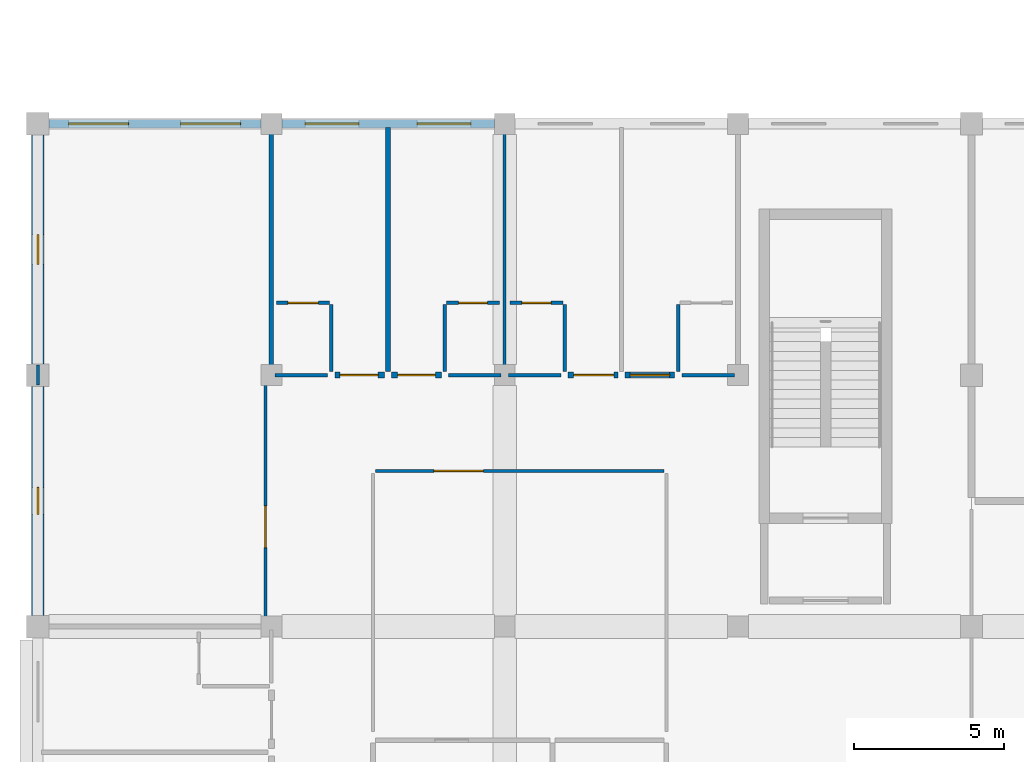
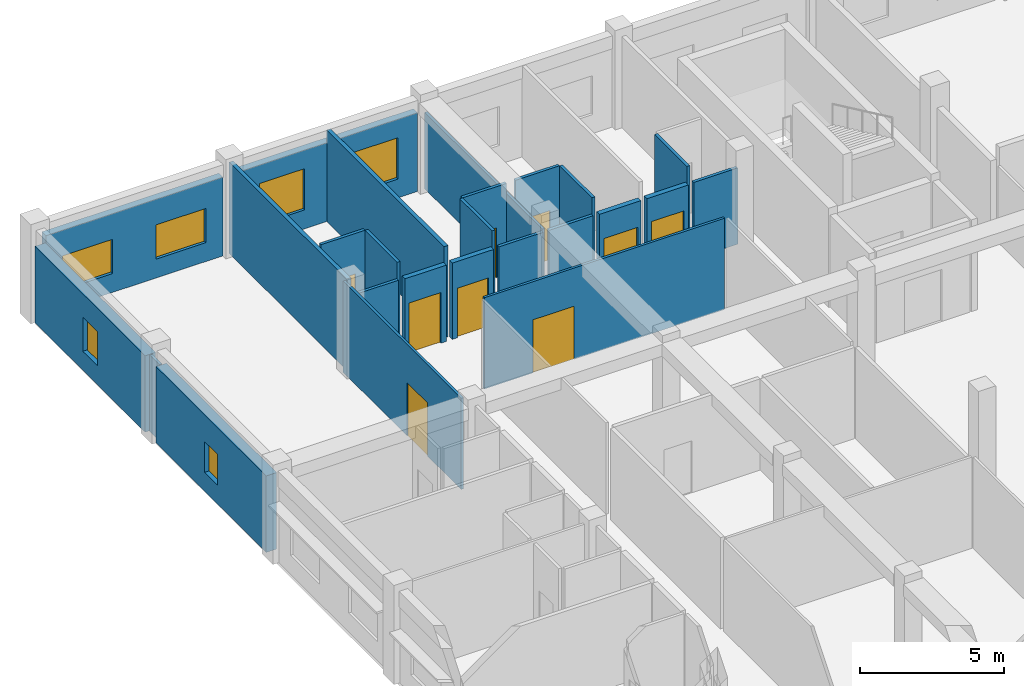
# One storey, part 38 of 53: 25 walls, 9 doors, 6 windows, 15 openings.
"""IFC4 building model written with IfcOpenShell, lengths in metres."""

from ifc_helpers import new_model, si_unit, direction, frame, frame_2d, origin, place, context, subcontext, project, spatial, rectangle, extrude, material, layer, layer_set, type_object, element, fill, save


model = new_model("IFC4")

# Units and contexts
model_context = context("Model", 3, precision=1e-05, world=origin(), true_north=direction((0.0, 1.0)))
body_context = subcontext(model_context, "Body", "Model", "MODEL_VIEW")
ifc_project = project(units=[si_unit("LENGTHUNIT", "METRE"), si_unit("AREAUNIT", "SQUARE_METRE"), si_unit("VOLUMEUNIT", "CUBIC_METRE"), si_unit("PLANEANGLEUNIT", "RADIAN"), si_unit("MASSUNIT", "GRAM", prefix="KILO"), si_unit("THERMODYNAMICTEMPERATUREUNIT", "KELVIN"), si_unit("POWERUNIT", "WATT")], contexts=[model_context])

# Site, building, storey
site_placement = place(None, origin())
site = spatial("IfcSite", under=ifc_project, at=site_placement, CompositionType="ELEMENT")
building_placement = place(site_placement, origin())
building = spatial("IfcBuilding", under=site, at=building_placement, Name="Srebrne Nadtorze General Hospital", CompositionType="ELEMENT")
storey_placement = place(building_placement, frame((0.0, 0.0, 18.0)))
storey = spatial("IfcBuildingStorey", under=building, at=storey_placement, Name="L04", CompositionType="ELEMENT", Elevation=18.0)

# Wall, opening, window
ifc_material_1 = material(Name="Concrete C40/50", Category="concrete")
ifc_layer_1 = layer(ifc_material_1, 0.419921875)
ifc_layer_set_1 = layer_set([ifc_layer_1], Name="Concrete C40/50")
wall_type_1 = type_object("IfcWallType", Name="Acoustic buffer wall 420", PredefinedType="SOLIDWALL", material=ifc_layer_set_1)
wall_1_placement = place(storey_placement, frame((23.39990234375, 75.97509765625, 0.0), z_axis=(0.0, 0.0, 1.0), x_axis=(0.0, 1.0, 0.0)))
wall_1 = element("IfcWall", 1, at=wall_1_placement, inside=storey, type_object=wall_type_1, Name="Exterior wall WL-ENV-L04-0384", PredefinedType="SOLIDWALL", context=body_context, shape_type="SweptSolid", body=[
    extrude(rectangle(XDim=7.64990234375, YDim=0.419921875, at=frame_2d((3.824951171875, 0.0))), origin(), (0.0, 0.0, 1.0), 3.235107421875),
])
opening_1_placement = place(wall_1_placement, frame((3.375, 0.0, 0.800048828125)))
opening_1 = element("IfcOpeningElement", 2, at=opening_1_placement, cuts=wall_1, Name="Opening WN-L04-0589", PredefinedType="OPENING", context=body_context, shape_type="SweptSolid", body=[
    extrude(rectangle(XDim=0.89990234375, YDim=1.300048828125, at=frame_2d((0.449951171875, 0.64990234375))), frame((0.0, 0.221923828125, 0.0), z_axis=(0.0, -1.0, 0.0), x_axis=(1.0, 0.0, 0.0)), (0.0, 0.0, 1.0), 0.44384765625),
])
ifc_material_2 = material(Name="Triple Low-E Glazing", Category="glass")
window_type_1 = type_object("IfcWindowType", Name="Punched clinical window 900x1300", PartitioningType="SINGLE_PANEL", PredefinedType="WINDOW", material=ifc_material_2)
window_1_placement = place(opening_1_placement, origin())
window_1 = element("IfcWindow", 3, at=window_1_placement, inside=storey, type_object=window_type_1, Name="Clinical window WN-L04-0589", OverallHeight=1.300048828125, OverallWidth=0.89990234375, PartitioningType="SINGLE_PANEL", PredefinedType="WINDOW", context=body_context, shape_type="SweptSolid", body=[
    extrude(rectangle(XDim=0.89990234375, YDim=1.300048828125, at=frame_2d((0.449951171875, 0.64990234375))), frame((0.0, 0.030029296875, 0.0), z_axis=(0.0, -1.0, 0.0), x_axis=(1.0, 0.0, 0.0)), (0.0, 0.0, 1.0), 0.06005859375),
])
fill(opening_1, window_1)

wall_2_placement = place(storey_placement, frame((23.39990234375, 84.375, 0.0), z_axis=(0.0, 0.0, 1.0), x_axis=(0.0, 1.0, 0.0)))
wall_2 = element("IfcWall", 4, at=wall_2_placement, inside=storey, type_object=wall_type_1, Name="Exterior wall WL-ENV-L04-0385", PredefinedType="SOLIDWALL", context=body_context, shape_type="SweptSolid", body=[
    extrude(rectangle(XDim=7.64990234375, YDim=0.419921875, at=frame_2d((3.824951171875, 0.0))), origin(), (0.0, 0.0, 1.0), 3.235107421875),
])
opening_2_placement = place(wall_2_placement, frame((3.324951171875, 0.0, 0.800048828125)))
opening_2 = element("IfcOpeningElement", 5, at=opening_2_placement, cuts=wall_2, Name="Opening WN-L04-0590", PredefinedType="OPENING", context=body_context, shape_type="SweptSolid", body=[
    extrude(rectangle(XDim=1.0, YDim=1.449951171875, at=frame_2d((0.5, 0.72509765625))), frame((0.0, 0.221923828125, 0.0), z_axis=(0.0, -1.0, 0.0), x_axis=(1.0, 0.0, 0.0)), (0.0, 0.0, 1.0), 0.44384765625),
])
ifc_material_3 = material(Name="Triple Low-E Glazing", Category="glass")
window_type_2 = type_object("IfcWindowType", Name="Punched clinical window 1000x1450", PartitioningType="SINGLE_PANEL", PredefinedType="WINDOW", material=ifc_material_3)
window_2_placement = place(opening_2_placement, origin())
window_2 = element("IfcWindow", 6, at=window_2_placement, inside=storey, type_object=window_type_2, Name="Clinical window WN-L04-0590", OverallHeight=1.449951171875, OverallWidth=1.0, PartitioningType="SINGLE_PANEL", PredefinedType="WINDOW", context=body_context, shape_type="SweptSolid", body=[
    extrude(rectangle(XDim=1.0, YDim=1.449951171875, at=frame_2d((0.5, 0.72509765625))), frame((0.0, 0.030029296875, 0.0), z_axis=(0.0, -1.0, 0.0), x_axis=(1.0, 0.0, 0.0)), (0.0, 0.0, 1.0), 0.06005859375),
])
fill(opening_2, window_2)

# Walls
ifc_material_4 = material(Name="Gypsum Healthcare Partition")
ifc_layer_2 = layer(ifc_material_4, 0.159912109375)
ifc_layer_set_2 = layer_set([ifc_layer_2], Name="Gypsum Healthcare Partition")
wall_type_2 = type_object("IfcWallType", Name="Clinical partition 160", PredefinedType="PARTITIONING", material=ifc_layer_set_2)
for number, where, z_axis, x_axis, name in (
    (7, (31.199951171875, 84.1201171875, 0.0), (0.0, 0.0, 1.0), (0.0, 1.0, 0.0), "Ward inter-room partition WL-INT-L04-1673"),
    (8, (35.10009765625, 84.1201171875, 0.0), (0.0, 0.0, 1.0), (0.0, 1.0, 0.0), "Ward inter-room partition WL-INT-L04-1674"),
):
    element("IfcWall", number, at=place(storey_placement, frame(where, z_axis=z_axis, x_axis=x_axis)), inside=storey, type_object=wall_type_2, Name=name, PredefinedType="PARTITIONING", context=body_context, shape_type="SweptSolid", body=[
        extrude(rectangle(XDim=8.159912109375, YDim=0.159912109375, at=frame_2d((4.080078125, 0.0))), origin(), (0.0, 0.0, 1.0), 3.864990234375),
    ])

# Wall, opening, door
ifc_material_5 = material(Name="Gypsum Healthcare Partition")
ifc_layer_3 = layer(ifc_material_5, 0.199951171875)
ifc_layer_set_3 = layer_set([ifc_layer_3], Name="Gypsum Healthcare Partition")
wall_type_3 = type_object("IfcWallType", Name="Compartment wall 200", PredefinedType="STANDARD", material=ifc_layer_set_3)
wall_3_placement = place(storey_placement, frame((33.320068359375, 84.0, 0.0), z_axis=(0.0, 0.0, 1.0), x_axis=(1.0, 0.0, 0.0)))
wall_3 = element("IfcWall", 9, at=wall_3_placement, inside=storey, type_object=wall_type_3, Name="Ward corridor wall WL-INT-L04-1675", PredefinedType="STANDARD", context=body_context, shape_type="SweptSolid", body=[
    extrude(rectangle(XDim=1.659912109375, YDim=0.199951171875, at=frame_2d((0.830078125, 0.0))), origin(), (0.0, 0.0, 1.0), 3.235107421875),
])
opening_3_placement = place(wall_3_placement, frame((0.169921875, 0.0, 0.0)))
opening_3 = element("IfcOpeningElement", 10, at=opening_3_placement, cuts=wall_3, Name="Opening D-L04-0286", PredefinedType="OPENING", context=body_context, shape_type="SweptSolid", body=[
    extrude(rectangle(XDim=1.280029296875, YDim=2.14990234375, at=frame_2d((0.64013671875, 1.074951171875))), frame((0.0, 0.11181640625, 0.0), z_axis=(0.0, -1.0, 0.0), x_axis=(1.0, 0.0, 0.0)), (0.0, 0.0, 1.0), 0.223876953125),
])
ifc_material_6 = material(Name="Anodised Aluminium", Category="aluminium")
door_type_1 = type_object("IfcDoorType", Name="Single leaf door 1280x2150", OperationType="NOTDEFINED", PredefinedType="DOOR", material=ifc_material_6)
door_1_placement = place(opening_3_placement, origin())
door_1 = element("IfcDoor", 11, at=door_1_placement, inside=storey, type_object=door_type_1, Name="Ward patient room door D-L04-0286", OperationType="SINGLE_SWING_LEFT", OverallHeight=2.14990234375, OverallWidth=1.280029296875, PredefinedType="DOOR", context=body_context, shape_type="SweptSolid", body=[
    extrude(rectangle(XDim=1.280029296875, YDim=2.14990234375, at=frame_2d((0.64013671875, 1.074951171875))), frame((0.0, 0.02490234375, 0.0), z_axis=(0.0, -1.0, 0.0), x_axis=(1.0, 0.0, 0.0)), (0.0, 0.0, 1.0), 0.050048828125),
])
fill(opening_3, door_1)

wall_4_placement = place(storey_placement, frame((35.219970703125, 84.0, 0.0), z_axis=(0.0, 0.0, 1.0), x_axis=(1.0, 0.0, 0.0)))
wall_4 = element("IfcWall", 12, at=wall_4_placement, inside=storey, type_object=wall_type_3, Name="Ward corridor wall WL-INT-L04-1680", PredefinedType="STANDARD", context=body_context, shape_type="SweptSolid", body=[
    extrude(rectangle(XDim=1.659912109375, YDim=0.199951171875, at=frame_2d((0.830078125, 0.0))), origin(), (0.0, 0.0, 1.0), 3.235107421875),
])
opening_4_placement = place(wall_4_placement, frame((0.199951171875, 0.0, 0.0)))
opening_4 = element("IfcOpeningElement", 13, at=opening_4_placement, cuts=wall_4, Name="Opening D-L04-0288", PredefinedType="OPENING", context=body_context, shape_type="SweptSolid", body=[
    extrude(rectangle(XDim=1.260009765625, YDim=2.10009765625, at=frame_2d((0.6298828125, 1.050048828125))), frame((0.0, 0.11181640625, 0.0), z_axis=(0.0, -1.0, 0.0), x_axis=(1.0, 0.0, 0.0)), (0.0, 0.0, 1.0), 0.223876953125),
])
ifc_material_7 = material(Name="Anodised Aluminium", Category="aluminium")
door_type_2 = type_object("IfcDoorType", Name="Single leaf door 1260x2100", OperationType="NOTDEFINED", PredefinedType="DOOR", material=ifc_material_7)
door_2_placement = place(opening_4_placement, origin())
door_2 = element("IfcDoor", 14, at=door_2_placement, inside=storey, type_object=door_type_2, Name="Ward patient room door D-L04-0288", OperationType="SINGLE_SWING_RIGHT", OverallHeight=2.10009765625, OverallWidth=1.260009765625, PredefinedType="DOOR", context=body_context, shape_type="SweptSolid", body=[
    extrude(rectangle(XDim=1.260009765625, YDim=2.10009765625, at=frame_2d((0.6298828125, 1.050048828125))), frame((0.0, 0.02490234375, 0.0), z_axis=(0.0, -1.0, 0.0), x_axis=(1.0, 0.0, 0.0)), (0.0, 0.0, 1.0), 0.050048828125),
])
fill(opening_4, door_2)

wall_5_placement = place(storey_placement, frame((41.1201171875, 84.0, 0.0), z_axis=(0.0, 0.0, 1.0), x_axis=(1.0, 0.0, 0.0)))
wall_5 = element("IfcWall", 15, at=wall_5_placement, inside=storey, type_object=wall_type_3, Name="Ward corridor wall WL-INT-L04-1685", PredefinedType="STANDARD", context=body_context, shape_type="SweptSolid", body=[
    extrude(rectangle(XDim=1.659912109375, YDim=0.199951171875, at=frame_2d((0.830078125, 0.0))), origin(), (0.0, 0.0, 1.0), 3.235107421875),
])
opening_5_placement = place(wall_5_placement, frame((0.179931640625, 0.0, 0.0)))
opening_5 = element("IfcOpeningElement", 16, at=opening_5_placement, cuts=wall_5, Name="Opening D-L04-0290", PredefinedType="OPENING", context=body_context, shape_type="SweptSolid", body=[
    extrude(rectangle(XDim=1.35009765625, YDim=2.14990234375, at=frame_2d((0.675048828125, 1.074951171875))), frame((0.0, 0.11181640625, 0.0), z_axis=(0.0, -1.0, 0.0), x_axis=(1.0, 0.0, 0.0)), (0.0, 0.0, 1.0), 0.223876953125),
])
ifc_material_8 = material(Name="Anodised Aluminium", Category="aluminium")
door_type_3 = type_object("IfcDoorType", Name="Single leaf door 1350x2150", OperationType="NOTDEFINED", PredefinedType="DOOR", material=ifc_material_8)
door_3_placement = place(opening_5_placement, origin())
door_3 = element("IfcDoor", 17, at=door_3_placement, inside=storey, type_object=door_type_3, Name="Ward patient room door D-L04-0290", OperationType="SINGLE_SWING_LEFT", OverallHeight=2.14990234375, OverallWidth=1.35009765625, PredefinedType="DOOR", context=body_context, shape_type="SweptSolid", body=[
    extrude(rectangle(XDim=1.35009765625, YDim=2.14990234375, at=frame_2d((0.675048828125, 1.074951171875))), frame((0.0, 0.02490234375, 0.0), z_axis=(0.0, -1.0, 0.0), x_axis=(1.0, 0.0, 0.0)), (0.0, 0.0, 1.0), 0.050048828125),
])
fill(opening_5, door_3)

wall_6_placement = place(storey_placement, frame((43.02001953125, 84.0, 0.0), z_axis=(0.0, 0.0, 1.0), x_axis=(1.0, 0.0, 0.0)))
wall_6 = element("IfcWall", 18, at=wall_6_placement, inside=storey, type_object=wall_type_3, Name="Ward corridor wall WL-INT-L04-1690", PredefinedType="STANDARD", context=body_context, shape_type="SweptSolid", body=[
    extrude(rectangle(XDim=1.659912109375, YDim=0.199951171875, at=frame_2d((0.830078125, 0.0))), origin(), (0.0, 0.0, 1.0), 3.235107421875),
])
opening_6_placement = place(wall_6_placement, frame((0.169921875, 0.0, 0.0)))
opening_6 = element("IfcOpeningElement", 19, at=opening_6_placement, cuts=wall_6, Name="Opening D-L04-0292", PredefinedType="OPENING", context=body_context, shape_type="SweptSolid", body=[
    extrude(rectangle(XDim=1.320068359375, YDim=2.199951171875, at=frame_2d((0.66015625, 1.10009765625))), frame((0.0, 0.11181640625, 0.0), z_axis=(0.0, -1.0, 0.0), x_axis=(1.0, 0.0, 0.0)), (0.0, 0.0, 1.0), 0.223876953125),
])
ifc_material_9 = material(Name="Anodised Aluminium", Category="aluminium")
door_type_4 = type_object("IfcDoorType", Name="Single leaf door 1320x2200", OperationType="NOTDEFINED", PredefinedType="DOOR", material=ifc_material_9)
door_4_placement = place(opening_6_placement, origin())
door_4 = element("IfcDoor", 20, at=door_4_placement, inside=storey, type_object=door_type_4, Name="Ward patient room door D-L04-0292", OperationType="SINGLE_SWING_RIGHT", OverallHeight=2.199951171875, OverallWidth=1.320068359375, PredefinedType="DOOR", context=body_context, shape_type="SweptSolid", body=[
    extrude(rectangle(XDim=1.320068359375, YDim=2.199951171875, at=frame_2d((0.66015625, 1.10009765625))), frame((0.0, 0.02490234375, 0.0), z_axis=(0.0, -1.0, 0.0), x_axis=(1.0, 0.0, 0.0)), (0.0, 0.0, 1.0), 0.050048828125),
])
fill(opening_6, door_4)

# Walls
ifc_material_10 = material(Name="Gypsum Healthcare Partition")
ifc_layer_4 = layer(ifc_material_10, 0.1201171875)
ifc_layer_set_4 = layer_set([ifc_layer_4], Name="Gypsum Healthcare Partition")
wall_type_4 = type_object("IfcWallType", Name="En-suite partition 120", PredefinedType="PARTITIONING", material=ifc_layer_set_4)
wall_7_placement = place(storey_placement, frame((31.320068359375, 84.0, 0.0), z_axis=(0.0, 0.0, 1.0), x_axis=(1.0, 0.0, 0.0)))
element("IfcWall", 21, at=wall_7_placement, inside=storey, type_object=wall_type_4, Name="En-suite corridor wall WL-INT-L04-1676", PredefinedType="PARTITIONING", context=body_context, shape_type="SweptSolid", body=[
    extrude(rectangle(XDim=1.760009765625, YDim=0.1201171875, at=frame_2d((0.8798828125, 0.0))), origin(), (0.0, 0.0, 1.0), 3.235107421875),
])
wall_8_placement = place(storey_placement, frame((33.199951171875, 84.1201171875, 0.0), z_axis=(0.0, 0.0, 1.0), x_axis=(0.0, 1.0, 0.0)))
element("IfcWall", 22, at=wall_8_placement, inside=storey, type_object=wall_type_4, Name="En-suite wet wall WL-INT-L04-1677", PredefinedType="PARTITIONING", context=body_context, shape_type="SweptSolid", body=[
    extrude(rectangle(XDim=2.239990234375, YDim=0.1201171875, at=frame_2d((1.1201171875, 0.0))), origin(), (0.0, 0.0, 1.0), 3.864990234375),
])

# Wall, opening, door
wall_9_placement = place(storey_placement, frame((31.3798828125, 86.419921875, 0.0), z_axis=(0.0, 0.0, 1.0), x_axis=(1.0, 0.0, 0.0)))
wall_9 = element("IfcWall", 23, at=wall_9_placement, inside=storey, type_object=wall_type_4, Name="En-suite wet wall WL-INT-L04-1678", PredefinedType="PARTITIONING", context=body_context, shape_type="SweptSolid", body=[
    extrude(rectangle(XDim=1.760009765625, YDim=0.1201171875, at=frame_2d((0.8798828125, 0.0))), origin(), (0.0, 0.0, 1.0), 3.864990234375),
])
opening_7_placement = place(wall_9_placement, frame((0.3701171875, 0.0, 0.0)))
opening_7 = element("IfcOpeningElement", 24, at=opening_7_placement, cuts=wall_9, Name="Opening D-L04-0287", PredefinedType="OPENING", context=body_context, shape_type="SweptSolid", body=[
    extrude(rectangle(XDim=1.02001953125, YDim=2.14990234375, at=frame_2d((0.510009765625, 1.074951171875))), frame((0.0, 0.072021484375, 0.0), z_axis=(0.0, -1.0, 0.0), x_axis=(1.0, 0.0, 0.0)), (0.0, 0.0, 1.0), 0.14404296875),
])
ifc_material_11 = material(Name="Anodised Aluminium", Category="aluminium")
door_type_5 = type_object("IfcDoorType", Name="Single leaf door 1020x2150", OperationType="NOTDEFINED", PredefinedType="DOOR", material=ifc_material_11)
door_5_placement = place(opening_7_placement, frame((1.02001953125, 0.0, 0.0), z_axis=(0.0, 0.0, 1.0), x_axis=(-1.0, 0.0, 0.0)))
door_5 = element("IfcDoor", 25, at=door_5_placement, inside=storey, type_object=door_type_5, Name="En-suite bathroom door D-L04-0287", OperationType="SINGLE_SWING_RIGHT", OverallHeight=2.14990234375, OverallWidth=1.02001953125, PredefinedType="DOOR", context=body_context, shape_type="SweptSolid", body=[
    extrude(rectangle(XDim=1.02001953125, YDim=2.14990234375, at=frame_2d((0.510009765625, 1.074951171875))), frame((0.0, 0.02490234375, 0.0), z_axis=(0.0, -1.0, 0.0), x_axis=(1.0, 0.0, 0.0)), (0.0, 0.0, 1.0), 0.050048828125),
])
fill(opening_7, door_5)

# Walls
wall_10_placement = place(storey_placement, frame((37.1201171875, 84.0, 0.0), z_axis=(0.0, 0.0, 1.0), x_axis=(1.0, 0.0, 0.0)))
element("IfcWall", 26, at=wall_10_placement, inside=storey, type_object=wall_type_4, Name="En-suite corridor wall WL-INT-L04-1681", PredefinedType="PARTITIONING", context=body_context, shape_type="SweptSolid", body=[
    extrude(rectangle(XDim=1.759765625, YDim=0.1201171875, at=frame_2d((0.8798828125, 0.0))), origin(), (0.0, 0.0, 1.0), 3.235107421875),
])
wall_11_placement = place(storey_placement, frame((37.0, 84.1201171875, 0.0), z_axis=(0.0, 0.0, 1.0), x_axis=(0.0, 1.0, 0.0)))
element("IfcWall", 27, at=wall_11_placement, inside=storey, type_object=wall_type_4, Name="En-suite wet wall WL-INT-L04-1682", PredefinedType="PARTITIONING", context=body_context, shape_type="SweptSolid", body=[
    extrude(rectangle(XDim=2.239990234375, YDim=0.1201171875, at=frame_2d((1.1201171875, 0.0))), origin(), (0.0, 0.0, 1.0), 3.864990234375),
])

# Wall, opening, door
wall_12_placement = place(storey_placement, frame((37.06005859375, 86.419921875, 0.0), z_axis=(0.0, 0.0, 1.0), x_axis=(1.0, 0.0, 0.0)))
wall_12 = element("IfcWall", 28, at=wall_12_placement, inside=storey, type_object=wall_type_4, Name="En-suite wet wall WL-INT-L04-1683", PredefinedType="PARTITIONING", context=body_context, shape_type="SweptSolid", body=[
    extrude(rectangle(XDim=1.760009765625, YDim=0.1201171875, at=frame_2d((0.8798828125, 0.0))), origin(), (0.0, 0.0, 1.0), 3.864990234375),
])
opening_8_placement = place(wall_12_placement, frame((0.39990234375, 0.0, 0.0)))
opening_8 = element("IfcOpeningElement", 29, at=opening_8_placement, cuts=wall_12, Name="Opening D-L04-0289", PredefinedType="OPENING", context=body_context, shape_type="SweptSolid", body=[
    extrude(rectangle(XDim=0.9599609375, YDim=2.1201171875, at=frame_2d((0.47998046875, 1.06005859375))), frame((0.0, 0.072021484375, 0.0), z_axis=(0.0, -1.0, 0.0), x_axis=(1.0, 0.0, 0.0)), (0.0, 0.0, 1.0), 0.14404296875),
])
ifc_material_12 = material(Name="Anodised Aluminium", Category="aluminium")
door_type_6 = type_object("IfcDoorType", Name="Single leaf door 960x2120", OperationType="NOTDEFINED", PredefinedType="DOOR", material=ifc_material_12)
door_6_placement = place(opening_8_placement, frame((0.9599609375, 0.0, 0.0), z_axis=(0.0, 0.0, 1.0), x_axis=(-1.0, 0.0, 0.0)))
door_6 = element("IfcDoor", 30, at=door_6_placement, inside=storey, type_object=door_type_6, Name="En-suite bathroom door D-L04-0289", OperationType="SINGLE_SWING_RIGHT", OverallHeight=2.1201171875, OverallWidth=0.9599609375, PredefinedType="DOOR", context=body_context, shape_type="SweptSolid", body=[
    extrude(rectangle(XDim=0.9599609375, YDim=2.1201171875, at=frame_2d((0.47998046875, 1.06005859375))), frame((0.0, 0.02490234375, 0.0), z_axis=(0.0, -1.0, 0.0), x_axis=(1.0, 0.0, 0.0)), (0.0, 0.0, 1.0), 0.050048828125),
])
fill(opening_8, door_6)

# Walls
wall_13_placement = place(storey_placement, frame((39.1201171875, 84.0, 0.0), z_axis=(0.0, 0.0, 1.0), x_axis=(1.0, 0.0, 0.0)))
element("IfcWall", 31, at=wall_13_placement, inside=storey, type_object=wall_type_4, Name="En-suite corridor wall WL-INT-L04-1686", PredefinedType="PARTITIONING", context=body_context, shape_type="SweptSolid", body=[
    extrude(rectangle(XDim=1.759765625, YDim=0.1201171875, at=frame_2d((0.8798828125, 0.0))), origin(), (0.0, 0.0, 1.0), 3.235107421875),
])
wall_14_placement = place(storey_placement, frame((41.0, 84.1201171875, 0.0), z_axis=(0.0, 0.0, 1.0), x_axis=(0.0, 1.0, 0.0)))
element("IfcWall", 32, at=wall_14_placement, inside=storey, type_object=wall_type_4, Name="En-suite wet wall WL-INT-L04-1687", PredefinedType="PARTITIONING", context=body_context, shape_type="SweptSolid", body=[
    extrude(rectangle(XDim=2.239990234375, YDim=0.1201171875, at=frame_2d((1.1201171875, 0.0))), origin(), (0.0, 0.0, 1.0), 3.864990234375),
])

# Wall, opening, door
wall_15_placement = place(storey_placement, frame((39.179931640625, 86.419921875, 0.0), z_axis=(0.0, 0.0, 1.0), x_axis=(1.0, 0.0, 0.0)))
wall_15 = element("IfcWall", 33, at=wall_15_placement, inside=storey, type_object=wall_type_4, Name="En-suite wet wall WL-INT-L04-1688", PredefinedType="PARTITIONING", context=body_context, shape_type="SweptSolid", body=[
    extrude(rectangle(XDim=1.760009765625, YDim=0.1201171875, at=frame_2d((0.8798828125, 0.0))), origin(), (0.0, 0.0, 1.0), 3.864990234375),
])
opening_9_placement = place(wall_15_placement, frame((0.389892578125, 0.0, 0.0)))
opening_9 = element("IfcOpeningElement", 34, at=opening_9_placement, cuts=wall_15, Name="Opening D-L04-0291", PredefinedType="OPENING", context=body_context, shape_type="SweptSolid", body=[
    extrude(rectangle(XDim=0.97998046875, YDim=2.10009765625, at=frame_2d((0.489990234375, 1.050048828125))), frame((0.0, 0.072021484375, 0.0), z_axis=(0.0, -1.0, 0.0), x_axis=(1.0, 0.0, 0.0)), (0.0, 0.0, 1.0), 0.14404296875),
])
ifc_material_13 = material(Name="Anodised Aluminium", Category="aluminium")
door_type_7 = type_object("IfcDoorType", Name="Single leaf door 980x2100", OperationType="NOTDEFINED", PredefinedType="DOOR", material=ifc_material_13)
door_7_placement = place(opening_9_placement, frame((0.97998046875, 0.0, 0.0), z_axis=(0.0, 0.0, 1.0), x_axis=(-1.0, 0.0, 0.0)))
door_7 = element("IfcDoor", 35, at=door_7_placement, inside=storey, type_object=door_type_7, Name="En-suite bathroom door D-L04-0291", OperationType="SINGLE_SWING_RIGHT", OverallHeight=2.10009765625, OverallWidth=0.97998046875, PredefinedType="DOOR", context=body_context, shape_type="SweptSolid", body=[
    extrude(rectangle(XDim=0.97998046875, YDim=2.10009765625, at=frame_2d((0.489990234375, 1.050048828125))), frame((0.0, 0.02490234375, 0.0), z_axis=(0.0, -1.0, 0.0), x_axis=(1.0, 0.0, 0.0)), (0.0, 0.0, 1.0), 0.050048828125),
])
fill(opening_9, door_7)

# Walls
wall_16_placement = place(storey_placement, frame((44.919921875, 84.0, 0.0), z_axis=(0.0, 0.0, 1.0), x_axis=(1.0, 0.0, 0.0)))
element("IfcWall", 36, at=wall_16_placement, inside=storey, type_object=wall_type_4, Name="En-suite corridor wall WL-INT-L04-1691", PredefinedType="PARTITIONING", context=body_context, shape_type="SweptSolid", body=[
    extrude(rectangle(XDim=1.760009765625, YDim=0.1201171875, at=frame_2d((0.8798828125, 0.0))), origin(), (0.0, 0.0, 1.0), 3.235107421875),
])
wall_17_placement = place(storey_placement, frame((44.800048828125, 84.1201171875, 0.0), z_axis=(0.0, 0.0, 1.0), x_axis=(0.0, 1.0, 0.0)))
element("IfcWall", 37, at=wall_17_placement, inside=storey, type_object=wall_type_4, Name="En-suite wet wall WL-INT-L04-1692", PredefinedType="PARTITIONING", context=body_context, shape_type="SweptSolid", body=[
    extrude(rectangle(XDim=2.239990234375, YDim=0.1201171875, at=frame_2d((1.1201171875, 0.0))), origin(), (0.0, 0.0, 1.0), 3.864990234375),
])
ifc_material_14 = material(Name="Gypsum Healthcare Partition")
ifc_layer_5 = layer(ifc_material_14, 0.10009765625)
ifc_layer_set_5 = layer_set([ifc_layer_5], Name="Gypsum Healthcare Partition")
wall_type_5 = type_object("IfcWallType", Name="Shaft lining wall 100", PredefinedType="PARTITIONING", material=ifc_layer_set_5)
wall_18_placement = place(storey_placement, frame((39.0, 84.1201171875, 0.0), z_axis=(0.0, 0.0, 1.0), x_axis=(0.0, 1.0, 0.0)))
element("IfcWall", 38, at=wall_18_placement, inside=storey, type_object=wall_type_5, Name="Ward inter-room partition WL-INT-L04-1679", PredefinedType="PARTITIONING", context=body_context, shape_type="SweptSolid", body=[
    extrude(rectangle(XDim=8.159912109375, YDim=0.10009765625, at=frame_2d((4.080078125, 0.0))), origin(), (0.0, 0.0, 1.0), 3.235107421875),
])

# Wall, opening, door
wall_19_placement = place(storey_placement, frame((34.68505859375, 80.800048828125, 0.0), z_axis=(0.0, 0.0, 1.0), x_axis=(1.0, 0.0, 0.0)))
wall_19 = element("IfcWall", 39, at=wall_19_placement, inside=storey, type_object=wall_type_5, Name="Post-Surgical Step-Down Suite wall WL-INT-L04-1826", PredefinedType="PARTITIONING", context=body_context, shape_type="SweptSolid", body=[
    extrude(rectangle(XDim=9.6298828125, YDim=0.10009765625, at=frame_2d((4.81494140625, 0.0))), origin(), (0.0, 0.0, 1.0), 3.864990234375),
])
opening_10_placement = place(wall_19_placement, frame((1.949951171875, 0.0, 0.0)))
opening_10 = element("IfcOpeningElement", 40, at=opening_10_placement, cuts=wall_19, Name="Opening D-L04-0345", PredefinedType="OPENING", context=body_context, shape_type="SweptSolid", body=[
    extrude(rectangle(XDim=1.64990234375, YDim=2.25, at=frame_2d((0.824951171875, 1.125))), frame((0.0, 0.06201171875, 0.0), z_axis=(0.0, -1.0, 0.0), x_axis=(1.0, 0.0, 0.0)), (0.0, 0.0, 1.0), 0.1240234375),
])
ifc_material_15 = material(Name="Anodised Aluminium", Category="aluminium")
door_type_8 = type_object("IfcDoorType", Name="Double leaf door 1650x2250", OperationType="DOUBLE_DOOR_SINGLE_SWING", PredefinedType="DOOR", material=ifc_material_15)
door_8_placement = place(opening_10_placement, frame((1.64990234375, 0.0, 0.0), z_axis=(0.0, 0.0, 1.0), x_axis=(-1.0, 0.0, 0.0)))
door_8 = element("IfcDoor", 41, at=door_8_placement, inside=storey, type_object=door_type_8, Name="Post-Surgical Step-Down Suite door D-L04-0345", OperationType="DOUBLE_DOOR_SINGLE_SWING", OverallHeight=2.25, OverallWidth=1.64990234375, PredefinedType="DOOR", context=body_context, shape_type="SweptSolid", body=[
    extrude(rectangle(XDim=1.64990234375, YDim=2.25, at=frame_2d((0.824951171875, 1.125))), frame((0.0, 0.02490234375, 0.0), z_axis=(0.0, -1.0, 0.0), x_axis=(1.0, 0.0, 0.0)), (0.0, 0.0, 1.0), 0.050048828125),
])
fill(opening_10, door_8)

wall_20_placement = place(storey_placement, frame((31.0, 75.885009765625, 0.0), z_axis=(0.0, 0.0, 1.0), x_axis=(0.0, 1.0, 0.0)))
wall_20 = element("IfcWall", 42, at=wall_20_placement, inside=storey, type_object=wall_type_5, Name="Inpatient Sub-Acute Assessment Ward wall WL-INT-L04-1836", PredefinedType="PARTITIONING", context=body_context, shape_type="SweptSolid", body=[
    extrude(rectangle(XDim=8.195068359375, YDim=0.10009765625, at=frame_2d((4.09765625, 0.0))), origin(), (0.0, 0.0, 1.0), 3.864990234375),
])
opening_11_placement = place(wall_20_placement, frame((2.348388671875, 0.0, 0.0)))
opening_11 = element("IfcOpeningElement", 43, at=opening_11_placement, cuts=wall_20, Name="Opening D-L04-0348", PredefinedType="OPENING", context=body_context, shape_type="SweptSolid", body=[
    extrude(rectangle(XDim=1.39990234375, YDim=2.25, at=frame_2d((0.699951171875, 1.125))), frame((0.0, 0.06201171875, 0.0), z_axis=(0.0, -1.0, 0.0), x_axis=(1.0, 0.0, 0.0)), (0.0, 0.0, 1.0), 0.1240234375),
])
ifc_material_16 = material(Name="Anodised Aluminium", Category="aluminium")
door_type_9 = type_object("IfcDoorType", Name="Single leaf door 1400x2250", OperationType="NOTDEFINED", PredefinedType="DOOR", material=ifc_material_16)
door_9_placement = place(opening_11_placement, origin())
door_9 = element("IfcDoor", 44, at=door_9_placement, inside=storey, type_object=door_type_9, Name="Inpatient Sub-Acute Assessment Ward door D-L04-0348", OperationType="SINGLE_SWING_LEFT", OverallHeight=2.25, OverallWidth=1.39990234375, PredefinedType="DOOR", context=body_context, shape_type="SweptSolid", body=[
    extrude(rectangle(XDim=1.39990234375, YDim=2.25, at=frame_2d((0.699951171875, 1.125))), frame((0.0, 0.02490234375, 0.0), z_axis=(0.0, -1.0, 0.0), x_axis=(1.0, 0.0, 0.0)), (0.0, 0.0, 1.0), 0.050048828125),
])
fill(opening_11, door_9)

# Wall
wall_21_placement = place(storey_placement, frame((23.39990234375, 83.6650390625, 0.0), z_axis=(0.0, 0.0, 1.0), x_axis=(0.0, 1.0, 0.0)))
element("IfcWall", 45, at=wall_21_placement, inside=storey, type_object=wall_type_5, Name="Inpatient Sub-Acute Assessment Ward wall WL-INT-L04-1837", PredefinedType="PARTITIONING", context=body_context, shape_type="SweptSolid", body=[
    extrude(rectangle(XDim=0.669921875, YDim=0.10009765625, at=frame_2d((0.3349609375, 0.0))), origin(), (0.0, 0.0, 1.0), 3.235107421875),
])

# Wall, openings, windows
ifc_material_17 = material(Name="Concrete C35/45 precast", Category="concrete")
ifc_layer_6 = layer(ifc_material_17, 0.280029296875)
ifc_layer_set_6 = layer_set([ifc_layer_6], Name="Concrete C35/45 precast")
wall_type_6 = type_object("IfcWallType", Name="Spandrel wall 280", PredefinedType="STANDARD", material=ifc_layer_set_6)
wall_22_placement = place(storey_placement, frame((23.77490234375, 92.39990234375, 0.0), z_axis=(0.0, 0.0, 1.0), x_axis=(1.0, 0.0, 0.0)))
wall_22 = element("IfcWall", 46, at=wall_22_placement, inside=storey, type_object=wall_type_6, Name="Exterior wall WL-ENV-L04-0360", PredefinedType="STANDARD", context=body_context, shape_type="SweptSolid", body=[
    extrude(rectangle(XDim=7.0751953125, YDim=0.280029296875, at=frame_2d((3.53759765625, 0.0))), origin(), (0.0, 0.0, 1.0), 3.3349609375),
])
opening_12_placement = place(wall_22_placement, frame((0.653076171875, 0.0, 0.800048828125)))
opening_12 = element("IfcOpeningElement", 47, at=opening_12_placement, cuts=wall_22, Name="Opening WN-L04-0543", PredefinedType="OPENING", context=body_context, shape_type="SweptSolid", body=[
    extrude(rectangle(XDim=2.0, YDim=1.449951171875, at=frame_2d((1.0, 0.72509765625))), frame((0.0, 0.15185546875, 0.0), z_axis=(0.0, -1.0, 0.0), x_axis=(1.0, 0.0, 0.0)), (0.0, 0.0, 1.0), 0.303955078125),
])
opening_13_placement = place(wall_22_placement, frame((4.39697265625, 0.0, 0.800048828125)))
opening_13 = element("IfcOpeningElement", 48, at=opening_13_placement, cuts=wall_22, Name="Opening WN-L04-0544", PredefinedType="OPENING", context=body_context, shape_type="SweptSolid", body=[
    extrude(rectangle(XDim=2.0, YDim=1.449951171875, at=frame_2d((1.0, 0.72509765625))), frame((0.0, 0.15185546875, 0.0), z_axis=(0.0, -1.0, 0.0), x_axis=(1.0, 0.0, 0.0)), (0.0, 0.0, 1.0), 0.303955078125),
])
ifc_material_18 = material(Name="Triple Low-E Glazing", Category="glass")
window_type_3 = type_object("IfcWindowType", Name="Punched clinical window 2000x1450", PartitioningType="DOUBLE_PANEL_VERTICAL", PredefinedType="WINDOW", material=ifc_material_18)
window_3_placement = place(opening_12_placement, origin())
window_3 = element("IfcWindow", 49, at=window_3_placement, inside=storey, type_object=window_type_3, Name="Clinical window WN-L04-0543", OverallHeight=1.449951171875, OverallWidth=2.0, PartitioningType="DOUBLE_PANEL_VERTICAL", PredefinedType="WINDOW", context=body_context, shape_type="SweptSolid", body=[
    extrude(rectangle(XDim=2.0, YDim=1.449951171875, at=frame_2d((1.0, 0.72509765625))), frame((0.0, 0.030029296875, 0.0), z_axis=(0.0, -1.0, 0.0), x_axis=(1.0, 0.0, 0.0)), (0.0, 0.0, 1.0), 0.06005859375),
])
fill(opening_12, window_3)
window_4_placement = place(opening_13_placement, origin())
window_4 = element("IfcWindow", 50, at=window_4_placement, inside=storey, type_object=window_type_3, Name="Clinical window WN-L04-0544", OverallHeight=1.449951171875, OverallWidth=2.0, PartitioningType="DOUBLE_PANEL_VERTICAL", PredefinedType="WINDOW", context=body_context, shape_type="SweptSolid", body=[
    extrude(rectangle(XDim=2.0, YDim=1.449951171875, at=frame_2d((1.0, 0.72509765625))), frame((0.0, 0.030029296875, 0.0), z_axis=(0.0, -1.0, 0.0), x_axis=(1.0, 0.0, 0.0)), (0.0, 0.0, 1.0), 0.06005859375),
])
fill(opening_13, window_4)

wall_23_placement = place(storey_placement, frame((31.550048828125, 92.39990234375, 0.0), z_axis=(0.0, 0.0, 1.0), x_axis=(1.0, 0.0, 0.0)))
wall_23 = element("IfcWall", 51, at=wall_23_placement, inside=storey, type_object=wall_type_6, Name="Exterior wall WL-ENV-L04-0361", PredefinedType="STANDARD", context=body_context, shape_type="SweptSolid", body=[
    extrude(rectangle(XDim=7.099853515625, YDim=0.280029296875, at=frame_2d((3.5498046875, 0.0))), origin(), (0.0, 0.0, 1.0), 3.3349609375),
])
opening_14_placement = place(wall_23_placement, frame((0.778076171875, 0.0, 0.800048828125)))
opening_14 = element("IfcOpeningElement", 52, at=opening_14_placement, cuts=wall_23, Name="Opening WN-L04-0545", PredefinedType="OPENING", context=body_context, shape_type="SweptSolid", body=[
    extrude(rectangle(XDim=1.800048828125, YDim=1.75, at=frame_2d((0.89990234375, 0.875))), frame((0.0, 0.15185546875, 0.0), z_axis=(0.0, -1.0, 0.0), x_axis=(1.0, 0.0, 0.0)), (0.0, 0.0, 1.0), 0.303955078125),
])
opening_15_placement = place(wall_23_placement, frame((4.52197265625, 0.0, 0.800048828125)))
opening_15 = element("IfcOpeningElement", 53, at=opening_15_placement, cuts=wall_23, Name="Opening WN-L04-0546", PredefinedType="OPENING", context=body_context, shape_type="SweptSolid", body=[
    extrude(rectangle(XDim=1.800048828125, YDim=1.75, at=frame_2d((0.89990234375, 0.875))), frame((0.0, 0.15185546875, 0.0), z_axis=(0.0, -1.0, 0.0), x_axis=(1.0, 0.0, 0.0)), (0.0, 0.0, 1.0), 0.303955078125),
])
ifc_material_19 = material(Name="Triple Low-E Glazing", Category="glass")
window_type_4 = type_object("IfcWindowType", Name="Punched clinical window 1800x1750", PartitioningType="DOUBLE_PANEL_VERTICAL", PredefinedType="WINDOW", material=ifc_material_19)
window_5_placement = place(opening_14_placement, origin())
window_5 = element("IfcWindow", 54, at=window_5_placement, inside=storey, type_object=window_type_4, Name="Clinical window WN-L04-0545", OverallHeight=1.75, OverallWidth=1.800048828125, PartitioningType="DOUBLE_PANEL_VERTICAL", PredefinedType="WINDOW", context=body_context, shape_type="SweptSolid", body=[
    extrude(rectangle(XDim=1.800048828125, YDim=1.75, at=frame_2d((0.89990234375, 0.875))), frame((0.0, 0.030029296875, 0.0), z_axis=(0.0, -1.0, 0.0), x_axis=(1.0, 0.0, 0.0)), (0.0, 0.0, 1.0), 0.06005859375),
])
fill(opening_14, window_5)
window_6_placement = place(opening_15_placement, origin())
window_6 = element("IfcWindow", 55, at=window_6_placement, inside=storey, type_object=window_type_4, Name="Clinical window WN-L04-0546", OverallHeight=1.75, OverallWidth=1.800048828125, PartitioningType="DOUBLE_PANEL_VERTICAL", PredefinedType="WINDOW", context=body_context, shape_type="SweptSolid", body=[
    extrude(rectangle(XDim=1.800048828125, YDim=1.75, at=frame_2d((0.89990234375, 0.875))), frame((0.0, 0.030029296875, 0.0), z_axis=(0.0, -1.0, 0.0), x_axis=(1.0, 0.0, 0.0)), (0.0, 0.0, 1.0), 0.06005859375),
])
fill(opening_15, window_6)

save(model, "model.ifc")
